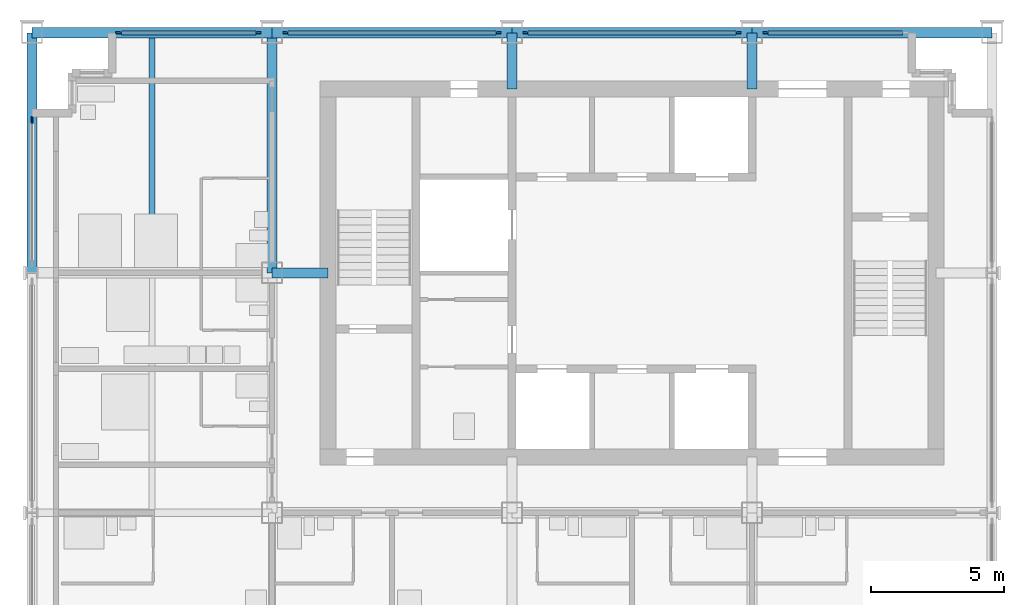
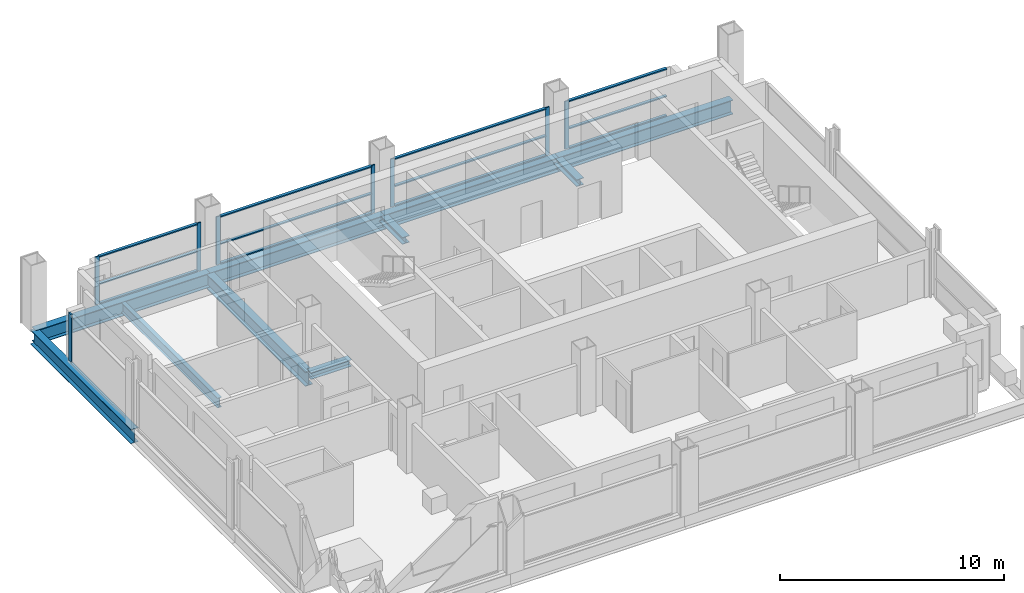
# One storey, part 3 of 12: 23 members, 7 beams, 5 elements without a shape of their own.
"""IFC4 building model written with IfcOpenShell, lengths in metres."""

from ifc_helpers import new_model, si_unit, direction, frame, origin, origin_2d, place, context, subcontext, project, spatial, rectangle, i_section, extrude, material, material_profile, profile_set, type_object, element, aggregate, save


model = new_model("IFC4")

# Units and contexts
model_context = context("Model", 3, precision=1e-05, world=origin(), true_north=direction((0.0, 1.0)))
body_context = subcontext(model_context, "Body", "Model", "MODEL_VIEW")
ifc_project = project(units=[si_unit("LENGTHUNIT", "METRE"), si_unit("AREAUNIT", "SQUARE_METRE"), si_unit("VOLUMEUNIT", "CUBIC_METRE"), si_unit("PLANEANGLEUNIT", "RADIAN"), si_unit("MASSUNIT", "GRAM", prefix="KILO")], contexts=[model_context])

# Site, building, storey
site_placement = place(None, origin())
site = spatial("IfcSite", under=ifc_project, at=site_placement, CompositionType="ELEMENT")
building_placement = place(site_placement, origin())
building = spatial("IfcBuilding", under=site, at=building_placement, Name="Loomwork Tower", CompositionType="ELEMENT")
storey_placement = place(building_placement, frame((0.0, 0.0, 233.800048828125)))
storey = spatial("IfcBuildingStorey", under=building, at=storey_placement, Name="L64", CompositionType="ELEMENT", Elevation=233.800048828125)

# Beam
ifc_material_1 = material(Name="Steel ASTM A992", Category="steel")
ifc_material_profile_1 = material_profile(ifc_material_1, i_section(OverallWidth=0.383544921875, OverallDepth=0.794921875, WebThickness=0.02099609375, FlangeThickness=0.0380859375, at=origin_2d()), Name="W30x235")
ifc_profile_set_1 = profile_set([ifc_material_profile_1], Name="Steel ASTM A992")
beam_type_1 = type_object("IfcBeamType", Name="CORE FLANK GIRDER W30x235", PredefinedType="BEAM", material=ifc_profile_set_1)
beam_1_placement = place(storey_placement, frame((9.0, 18.0, -0.59765625), z_axis=(0.0, 1.0, 0.0), x_axis=(-1.0, 0.0, 0.0)))
element("IfcBeam", 1, at=beam_1_placement, inside=storey, type_object=beam_type_1, Name="Core Flank Girder F/3-G/3 L64", PredefinedType="BEAM", context=body_context, shape_type="SweptSolid", body=[
    extrude(i_section(OverallWidth=0.383544921875, OverallDepth=0.794921875, WebThickness=0.02099609375, FlangeThickness=0.0380859375, at=origin_2d()), origin(), (0.0, 0.0, 1.0), 9.0),
])

# Members
ifc_material_2 = material(Name="Steel ASTM A992", Category="steel")
ifc_material_profile_2 = material_profile(ifc_material_2, i_section(OverallWidth=0.373291015625, OverallDepth=0.373291015625, WebThickness=0.016357421875, FlangeThickness=0.026123046875, at=origin_2d()), Name="W14x132")
ifc_profile_set_2 = profile_set([ifc_material_profile_2], Name="Steel ASTM A992")
member_type_1 = type_object("IfcMemberType", Name="CORE LINK STRUT W14x132", PredefinedType="STRUT", material=ifc_profile_set_2)
for number, where, z_axis, x_axis, name in (
    (2, (18.0, 27.0, -0.38671875), (0.0, -1.0, 0.0), (1.0, 0.0, 0.0), "Core link strut G/4-18.000,24.900 L64"),
    (3, (27.0, 27.0, -0.38671875), (0.0, -1.0, 0.0), (1.0, 0.0, 0.0), "Core link strut G/5-27.000,24.900 L64"),
    (4, (9.0, 18.0, -0.38671875), (1.0, 0.0, 0.0), (0.0, 1.0, 0.0), "Core link strut F/3-11.100,18.000 L64"),
):
    element("IfcMember", number, at=place(storey_placement, frame(where, z_axis=z_axis, x_axis=x_axis)), inside=storey, type_object=member_type_1, Name=name, PredefinedType="STRUT", context=body_context, shape_type="SweptSolid", body=[
        extrude(i_section(OverallWidth=0.373291015625, OverallDepth=0.373291015625, WebThickness=0.016357421875, FlangeThickness=0.026123046875, at=origin_2d()), origin(), (0.0, 0.0, 1.0), 2.10009765625),
    ])

# Beam
ifc_material_3 = material(Name="Steel ASTM A992", Category="steel")
ifc_material_profile_3 = material_profile(ifc_material_3, i_section(OverallWidth=0.2109375, OverallDepth=0.53857421875, WebThickness=0.011474609375, FlangeThickness=0.018798828125, at=origin_2d()), Name="W21x73")
ifc_profile_set_3 = profile_set([ifc_material_profile_3], Name="Steel ASTM A992")
beam_type_2 = type_object("IfcBeamType", Name="FLOOR JOIST W21x73", PredefinedType="JOIST", material=ifc_profile_set_3)
beam_2_placement = place(storey_placement, frame((4.5, 18.19091796875, -0.46923828125), z_axis=(0.0, 1.0, 0.0), x_axis=(-1.0, 0.0, 0.0)))
element("IfcBeam", 5, at=beam_2_placement, inside=storey, type_object=beam_type_2, Name="Floor Joist 4.500,18.000-4.500,27.000 L64", PredefinedType="JOIST", context=body_context, shape_type="SweptSolid", body=[
    extrude(i_section(OverallWidth=0.2109375, OverallDepth=0.53857421875, WebThickness=0.011474609375, FlangeThickness=0.018798828125, at=origin_2d()), origin(), (0.0, 0.0, 1.0), 8.619140625),
])

# Curtain wall, member
ifc_material_4 = material(Name="Aluminium curtain wall frame", Category="aluminium")
curtain_wall_type_1 = type_object("IfcCurtainWallType", Name="Outer skin glazing suites", PredefinedType="NOTDEFINED", material=ifc_material_4)
curtain_wall_1_placement = place(storey_placement, origin())
curtain_wall_1 = element("IfcCurtainWall", 6, at=curtain_wall_1_placement, inside=storey, type_object=curtain_wall_type_1, Name="Outer skin glazing suites cw/W-18", PredefinedType="NOTDEFINED")
ifc_material_5 = material(Name="Aluminium curtain wall frame", Category="aluminium")
ifc_material_profile_4 = material_profile(ifc_material_5, rectangle(XDim=0.06494140625, YDim=0.25, at=origin_2d()), Name="AL 65x250")
ifc_profile_set_4 = profile_set([ifc_material_profile_4], Name="Aluminium curtain wall frame")
member_type_2 = type_object("IfcMemberType", Name="Outer skin glazing suites mullion", PredefinedType="MULLION", material=ifc_profile_set_4)
member_1_placement = place(storey_placement, frame((0.0, 23.72509765625, 0.0), z_axis=(0.0, 0.0, 1.0), x_axis=(1.0, 0.0, 0.0)))
member_1 = element("IfcMember", 7, at=member_1_placement, type_object=member_type_2, Name="CW2 mullion 1", PredefinedType="MULLION", context=body_context, shape_type="SweptSolid", body=[
    extrude(rectangle(XDim=0.06494140625, YDim=0.25, at=origin_2d()), origin(), (0.0, 0.0, 1.0), 2.6201171875),
])
aggregate(curtain_wall_1, [member_1])

# Beams
ifc_material_6 = material(Name="Steel ASTM A992", Category="steel")
ifc_material_profile_5 = material_profile(ifc_material_6, i_section(OverallWidth=0.381103515625, OverallDepth=0.77978515625, WebThickness=0.01806640625, FlangeThickness=0.0302734375, at=origin_2d()), Name="W30x191")
ifc_profile_set_5 = profile_set([ifc_material_profile_5], Name="Steel ASTM A992")
beam_type_3 = type_object("IfcBeamType", Name="SPANDREL GIRDER W30x191", PredefinedType="SPANDREL", material=ifc_profile_set_5)
for number, where, z_axis, x_axis, name in (
    (8, (0.0, 27.0, -0.58984375), (1.0, 0.0, 0.0), (0.0, 1.0, 0.0), "Spandrel Girder G/2-G/3 L64"),
    (9, (9.0, 27.0, -0.58984375), (1.0, 0.0, 0.0), (0.0, 1.0, 0.0), "Spandrel Girder G/3-G/4 L64"),
    (10, (18.0, 27.0, -0.58984375), (1.0, 0.0, 0.0), (0.0, 1.0, 0.0), "Spandrel Girder G/4-G/5 L64"),
    (11, (27.0, 27.0, -0.58984375), (1.0, 0.0, 0.0), (0.0, 1.0, 0.0), "Spandrel Girder G/5-G/6 L64"),
    (12, (0.0, 18.0, -0.58984375), (0.0, 1.0, 0.0), (-1.0, 0.0, 0.0), "Spandrel Girder F/2-G/2 L64"),
):
    element("IfcBeam", number, at=place(storey_placement, frame(where, z_axis=z_axis, x_axis=x_axis)), inside=storey, type_object=beam_type_3, Name=name, PredefinedType="SPANDREL", context=body_context, shape_type="SweptSolid", body=[
        extrude(i_section(OverallWidth=0.381103515625, OverallDepth=0.77978515625, WebThickness=0.01806640625, FlangeThickness=0.0302734375, at=origin_2d()), origin(), (0.0, 0.0, 1.0), 9.0),
    ])

# Curtain wall, members
ifc_material_7 = material(Name="Aluminium curtain wall frame", Category="aluminium")
curtain_wall_type_2 = type_object("IfcCurtainWallType", Name="Single skin glazing corridor", PredefinedType="NOTDEFINED", material=ifc_material_7)
curtain_wall_2_placement = place(storey_placement, origin())
curtain_wall_2 = element("IfcCurtainWall", 13, at=curtain_wall_2_placement, inside=storey, type_object=curtain_wall_type_2, Name="Single skin glazing corridor cw/N-0", PredefinedType="NOTDEFINED")
ifc_material_8 = material(Name="Aluminium curtain wall frame", Category="aluminium")
ifc_material_profile_6 = material_profile(ifc_material_8, rectangle(XDim=0.06494140625, YDim=0.199951171875, at=origin_2d()), Name="AL 65x200")
ifc_profile_set_6 = profile_set([ifc_material_profile_6], Name="Aluminium curtain wall frame")
member_type_3 = type_object("IfcMemberType", Name="Single skin glazing corridor mullion", PredefinedType="MULLION", material=ifc_profile_set_6)
member_2_placement = place(storey_placement, frame((8.5, 27.0, 0.0), z_axis=(0.0, 0.0, 1.0), x_axis=(0.0, -1.0, 0.0)))
member_2 = element("IfcMember", 14, at=member_2_placement, type_object=member_type_3, Name="CW3 mullion 1", PredefinedType="MULLION", context=body_context, shape_type="SweptSolid", body=[
    extrude(rectangle(XDim=0.06494140625, YDim=0.199951171875, at=origin_2d()), origin(), (0.0, 0.0, 1.0), 2.6201171875),
])
member_3_placement = place(storey_placement, frame((3.25, 27.0, 0.0), z_axis=(0.0, 0.0, 1.0), x_axis=(0.0, -1.0, 0.0)))
member_3 = element("IfcMember", 15, at=member_3_placement, type_object=member_type_3, Name="CW3 mullion 2", PredefinedType="MULLION", context=body_context, shape_type="SweptSolid", body=[
    extrude(rectangle(XDim=0.06494140625, YDim=0.199951171875, at=origin_2d()), origin(), (0.0, 0.0, 1.0), 2.6201171875),
])

curtain_wall_3_placement = place(storey_placement, origin())
curtain_wall_3 = element("IfcCurtainWall", 16, at=curtain_wall_3_placement, inside=storey, type_object=curtain_wall_type_2, Name="Single skin glazing corridor cw/N-9", PredefinedType="NOTDEFINED")
member_4_placement = place(storey_placement, frame((17.5, 27.0, 0.0), z_axis=(0.0, 0.0, 1.0), x_axis=(0.0, -1.0, 0.0)))
member_4 = element("IfcMember", 17, at=member_4_placement, type_object=member_type_3, Name="CW3 mullion 1", PredefinedType="MULLION", context=body_context, shape_type="SweptSolid", body=[
    extrude(rectangle(XDim=0.06494140625, YDim=0.199951171875, at=origin_2d()), origin(), (0.0, 0.0, 1.0), 2.6201171875),
])
member_5_placement = place(storey_placement, frame((9.5, 27.0, 0.0), z_axis=(0.0, 0.0, 1.0), x_axis=(0.0, -1.0, 0.0)))
member_5 = element("IfcMember", 18, at=member_5_placement, type_object=member_type_3, Name="CW3 mullion 2", PredefinedType="MULLION", context=body_context, shape_type="SweptSolid", body=[
    extrude(rectangle(XDim=0.06494140625, YDim=0.199951171875, at=origin_2d()), origin(), (0.0, 0.0, 1.0), 2.6201171875),
])

curtain_wall_4_placement = place(storey_placement, origin())
curtain_wall_4 = element("IfcCurtainWall", 19, at=curtain_wall_4_placement, inside=storey, type_object=curtain_wall_type_2, Name="Single skin glazing corridor cw/N-18", PredefinedType="NOTDEFINED")
member_6_placement = place(storey_placement, frame((26.5, 27.0, 0.0), z_axis=(0.0, 0.0, 1.0), x_axis=(0.0, -1.0, 0.0)))
member_6 = element("IfcMember", 20, at=member_6_placement, type_object=member_type_3, Name="CW3 mullion 1", PredefinedType="MULLION", context=body_context, shape_type="SweptSolid", body=[
    extrude(rectangle(XDim=0.06494140625, YDim=0.199951171875, at=origin_2d()), origin(), (0.0, 0.0, 1.0), 2.6201171875),
])
member_7_placement = place(storey_placement, frame((18.5, 27.0, 0.0), z_axis=(0.0, 0.0, 1.0), x_axis=(0.0, -1.0, 0.0)))
member_7 = element("IfcMember", 21, at=member_7_placement, type_object=member_type_3, Name="CW3 mullion 2", PredefinedType="MULLION", context=body_context, shape_type="SweptSolid", body=[
    extrude(rectangle(XDim=0.06494140625, YDim=0.199951171875, at=origin_2d()), origin(), (0.0, 0.0, 1.0), 2.6201171875),
])

# Curtain wall, member
curtain_wall_5_placement = place(storey_placement, origin())
curtain_wall_5 = element("IfcCurtainWall", 22, at=curtain_wall_5_placement, inside=storey, type_object=curtain_wall_type_2, Name="Single skin glazing corridor cw/N-27", PredefinedType="NOTDEFINED")
member_8_placement = place(storey_placement, frame((27.5, 27.0, 0.0), z_axis=(0.0, 0.0, 1.0), x_axis=(0.0, -1.0, 0.0)))
member_8 = element("IfcMember", 23, at=member_8_placement, type_object=member_type_3, Name="CW3 mullion 2", PredefinedType="MULLION", context=body_context, shape_type="SweptSolid", body=[
    extrude(rectangle(XDim=0.06494140625, YDim=0.199951171875, at=origin_2d()), origin(), (0.0, 0.0, 1.0), 2.6201171875),
])

# Member
ifc_material_9 = material(Name="Aluminium curtain wall frame", Category="aluminium")
ifc_material_profile_7 = material_profile(ifc_material_9, rectangle(XDim=0.14990234375, YDim=0.06494140625, at=origin_2d()), Name="AL 65x150")
ifc_profile_set_7 = profile_set([ifc_material_profile_7], Name="Aluminium curtain wall frame")
member_type_4 = type_object("IfcMemberType", Name="Single skin glazing corridor transom", PredefinedType="USERDEFINED", material=ifc_profile_set_7)
member_9_placement = place(storey_placement, frame((8.39990234375, 27.0, 0.032470703125), z_axis=(-1.0, 0.0, 0.0), x_axis=(0.0, -1.0, 0.0)))
member_9 = element("IfcMember", 24, at=member_9_placement, type_object=member_type_4, Name="CW3 transom 1.1", ObjectType="TRANSOM", PredefinedType="USERDEFINED", context=body_context, shape_type="SweptSolid", body=[
    extrude(rectangle(XDim=0.14990234375, YDim=0.06494140625, at=origin_2d()), origin(), (0.0, 0.0, 1.0), 5.0498046875),
])

member_10_placement = place(storey_placement, frame((8.39990234375, 27.0, 1.099853515625), z_axis=(-1.0, 0.0, 0.0), x_axis=(0.0, -1.0, 0.0)))
member_10 = element("IfcMember", 25, at=member_10_placement, type_object=member_type_4, Name="CW3 transom 1.2", ObjectType="TRANSOM", PredefinedType="USERDEFINED", context=body_context, shape_type="SweptSolid", body=[
    extrude(rectangle(XDim=0.14990234375, YDim=0.06494140625, at=origin_2d()), origin(), (0.0, 0.0, 1.0), 5.0498046875),
])

member_11_placement = place(storey_placement, frame((8.39990234375, 27.0, 2.587646484375), z_axis=(-1.0, 0.0, 0.0), x_axis=(0.0, -1.0, 0.0)))
member_11 = element("IfcMember", 26, at=member_11_placement, type_object=member_type_4, Name="CW3 transom 1.3", ObjectType="TRANSOM", PredefinedType="USERDEFINED", context=body_context, shape_type="SweptSolid", body=[
    extrude(rectangle(XDim=0.14990234375, YDim=0.06494140625, at=origin_2d()), origin(), (0.0, 0.0, 1.0), 5.0498046875),
])

aggregate(curtain_wall_2, [member_2, member_3, member_9, member_10, member_11])

member_12_placement = place(storey_placement, frame((17.39990234375, 27.0, 0.032470703125), z_axis=(-1.0, 0.0, 0.0), x_axis=(0.0, -1.0, 0.0)))
member_12 = element("IfcMember", 27, at=member_12_placement, type_object=member_type_4, Name="CW3 transom 1.1", ObjectType="TRANSOM", PredefinedType="USERDEFINED", context=body_context, shape_type="SweptSolid", body=[
    extrude(rectangle(XDim=0.14990234375, YDim=0.06494140625, at=origin_2d()), origin(), (0.0, 0.0, 1.0), 7.7998046875),
])

member_13_placement = place(storey_placement, frame((17.39990234375, 27.0, 1.099853515625), z_axis=(-1.0, 0.0, 0.0), x_axis=(0.0, -1.0, 0.0)))
member_13 = element("IfcMember", 28, at=member_13_placement, type_object=member_type_4, Name="CW3 transom 1.2", ObjectType="TRANSOM", PredefinedType="USERDEFINED", context=body_context, shape_type="SweptSolid", body=[
    extrude(rectangle(XDim=0.14990234375, YDim=0.06494140625, at=origin_2d()), origin(), (0.0, 0.0, 1.0), 7.7998046875),
])

member_14_placement = place(storey_placement, frame((17.39990234375, 27.0, 2.587646484375), z_axis=(-1.0, 0.0, 0.0), x_axis=(0.0, -1.0, 0.0)))
member_14 = element("IfcMember", 29, at=member_14_placement, type_object=member_type_4, Name="CW3 transom 1.3", ObjectType="TRANSOM", PredefinedType="USERDEFINED", context=body_context, shape_type="SweptSolid", body=[
    extrude(rectangle(XDim=0.14990234375, YDim=0.06494140625, at=origin_2d()), origin(), (0.0, 0.0, 1.0), 7.7998046875),
])

aggregate(curtain_wall_3, [member_4, member_5, member_12, member_13, member_14])

member_15_placement = place(storey_placement, frame((26.39990234375, 27.0, 0.032470703125), z_axis=(-1.0, 0.0, 0.0), x_axis=(0.0, -1.0, 0.0)))
member_15 = element("IfcMember", 30, at=member_15_placement, type_object=member_type_4, Name="CW3 transom 1.1", ObjectType="TRANSOM", PredefinedType="USERDEFINED", context=body_context, shape_type="SweptSolid", body=[
    extrude(rectangle(XDim=0.14990234375, YDim=0.06494140625, at=origin_2d()), origin(), (0.0, 0.0, 1.0), 7.7998046875),
])

member_16_placement = place(storey_placement, frame((26.39990234375, 27.0, 1.099853515625), z_axis=(-1.0, 0.0, 0.0), x_axis=(0.0, -1.0, 0.0)))
member_16 = element("IfcMember", 31, at=member_16_placement, type_object=member_type_4, Name="CW3 transom 1.2", ObjectType="TRANSOM", PredefinedType="USERDEFINED", context=body_context, shape_type="SweptSolid", body=[
    extrude(rectangle(XDim=0.14990234375, YDim=0.06494140625, at=origin_2d()), origin(), (0.0, 0.0, 1.0), 7.7998046875),
])

member_17_placement = place(storey_placement, frame((26.39990234375, 27.0, 2.587646484375), z_axis=(-1.0, 0.0, 0.0), x_axis=(0.0, -1.0, 0.0)))
member_17 = element("IfcMember", 32, at=member_17_placement, type_object=member_type_4, Name="CW3 transom 1.3", ObjectType="TRANSOM", PredefinedType="USERDEFINED", context=body_context, shape_type="SweptSolid", body=[
    extrude(rectangle(XDim=0.14990234375, YDim=0.06494140625, at=origin_2d()), origin(), (0.0, 0.0, 1.0), 7.7998046875),
])

aggregate(curtain_wall_4, [member_6, member_7, member_15, member_16, member_17])

member_18_placement = place(storey_placement, frame((32.64990234375, 27.0, 0.032470703125), z_axis=(-1.0, 0.0, 0.0), x_axis=(0.0, -1.0, 0.0)))
member_18 = element("IfcMember", 33, at=member_18_placement, type_object=member_type_4, Name="CW3 transom 1.1", ObjectType="TRANSOM", PredefinedType="USERDEFINED", context=body_context, shape_type="SweptSolid", body=[
    extrude(rectangle(XDim=0.14990234375, YDim=0.06494140625, at=origin_2d()), origin(), (0.0, 0.0, 1.0), 5.0498046875),
])

member_19_placement = place(storey_placement, frame((32.64990234375, 27.0, 1.099853515625), z_axis=(-1.0, 0.0, 0.0), x_axis=(0.0, -1.0, 0.0)))
member_19 = element("IfcMember", 34, at=member_19_placement, type_object=member_type_4, Name="CW3 transom 1.2", ObjectType="TRANSOM", PredefinedType="USERDEFINED", context=body_context, shape_type="SweptSolid", body=[
    extrude(rectangle(XDim=0.14990234375, YDim=0.06494140625, at=origin_2d()), origin(), (0.0, 0.0, 1.0), 5.0498046875),
])

member_20_placement = place(storey_placement, frame((32.64990234375, 27.0, 2.587646484375), z_axis=(-1.0, 0.0, 0.0), x_axis=(0.0, -1.0, 0.0)))
member_20 = element("IfcMember", 35, at=member_20_placement, type_object=member_type_4, Name="CW3 transom 1.3", ObjectType="TRANSOM", PredefinedType="USERDEFINED", context=body_context, shape_type="SweptSolid", body=[
    extrude(rectangle(XDim=0.14990234375, YDim=0.06494140625, at=origin_2d()), origin(), (0.0, 0.0, 1.0), 5.0498046875),
])

aggregate(curtain_wall_5, [member_8, member_18, member_19, member_20])

save(model, "model.ifc")
